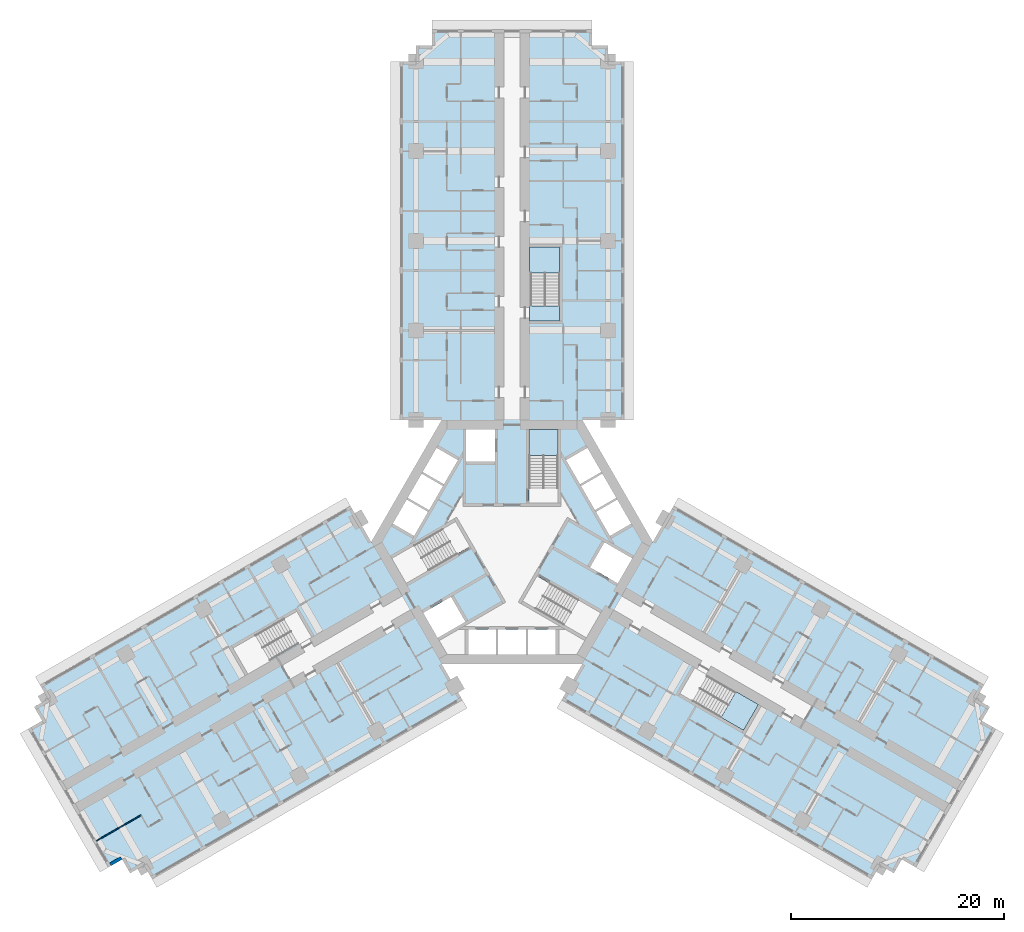
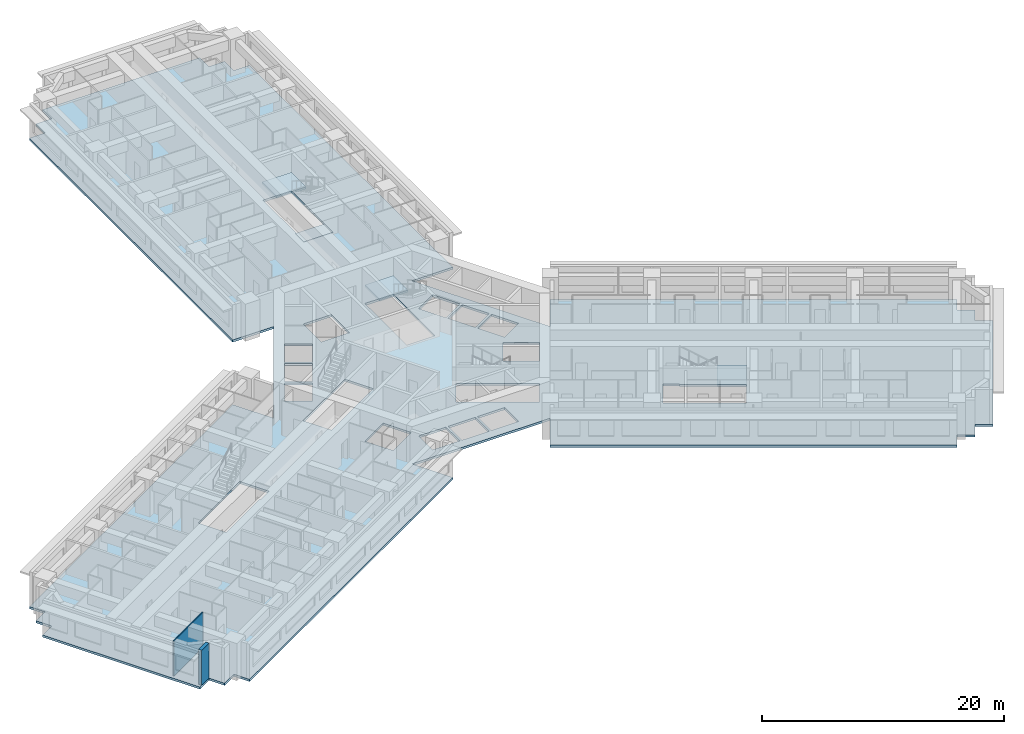
# One storey, part 2 of 16: 5 slabs, 2 walls, 3 elements without a shape of their own.
"""IFC4 building model written with IfcOpenShell, lengths in metres."""

from ifc_helpers import new_model, si_unit, direction, frame, frame_2d, origin, place, context, subcontext, project, spatial, polyline, rectangle, outline, extrude, material, layer, layer_set, type_object, element, aggregate, save


model = new_model("IFC4")

# Units and contexts
model_context = context("Model", 3, precision=1e-05, world=origin(), true_north=direction((0.0, 1.0)))
body_context = subcontext(model_context, "Body", "Model", "MODEL_VIEW")
ifc_project = project(units=[si_unit("LENGTHUNIT", "METRE"), si_unit("AREAUNIT", "SQUARE_METRE"), si_unit("VOLUMEUNIT", "CUBIC_METRE"), si_unit("PLANEANGLEUNIT", "RADIAN"), si_unit("MASSUNIT", "GRAM", prefix="KILO")], contexts=[model_context])

# Site, building, storey
site_placement = place(None, origin())
site = spatial("IfcSite", under=ifc_project, at=site_placement, CompositionType="ELEMENT")
building_placement = place(site_placement, origin())
building = spatial("IfcBuilding", under=site, at=building_placement, Name="Impinga Residences", CompositionType="ELEMENT")
storey_placement = place(building_placement, frame((0.0, 0.0, 67.25)))
storey = spatial("IfcBuildingStorey", under=building, at=storey_placement, Name="L16", CompositionType="ELEMENT", Elevation=67.25)

# Slab
ifc_material_1 = material(Name="Concrete C60/75", Category="concrete")
ifc_layer_1 = layer(ifc_material_1, 0.219970703125)
ifc_layer_set_1 = layer_set([ifc_layer_1], Name="Concrete C60/75")
slab_type_1 = type_object("IfcSlabType", Name="FS1 tower floor slab 220", PredefinedType="FLOOR", material=ifc_layer_set_1)
slab_1_placement = place(storey_placement, frame((0.0, 0.0, -0.219970703125)))
element("IfcSlab", 1, at=slab_1_placement, inside=storey, type_object=slab_type_1, Name="Floor slab FS1 L16", PredefinedType="FLOOR", context=body_context, shape_type="SweptSolid", body=[
    extrude(outline(polyline([(-34.49853515625, -30.31005859375), (-35.797607421875, -31.06005859375), (-36.547607421875, -29.760986328125), (-37.846435546875, -30.510986328125), (-45.346435546875, -17.5205078125), (-44.047607421875, -16.7705078125), (-44.797607421875, -15.471435546875), (-43.49853515625, -14.721435546875), (-44.24853515625, -13.422607421875), (-15.14990234375, 3.37744140625), (-13.199951171875, 0.0), (-6.60009765625, 11.431640625), (-10.5, 11.431640625), (-10.5, 45.031494140625), (-9.0, 45.031494140625), (-9.0, 46.531494140625), (-7.5, 46.531494140625), (-7.5, 48.031494140625), (7.5, 48.031494140625), (7.5, 46.531494140625), (9.0, 46.531494140625), (9.0, 45.031494140625), (10.5, 45.031494140625), (10.5, 11.431640625), (6.60009765625, 11.431640625), (13.199951171875, 0.0), (15.14990234375, 3.37744140625), (44.24853515625, -13.422607421875), (43.49853515625, -14.721435546875), (44.797607421875, -15.471435546875), (44.047607421875, -16.7705078125), (45.346435546875, -17.5205078125), (37.846435546875, -30.510986328125), (36.547607421875, -29.760986328125), (35.797607421875, -31.06005859375), (34.49853515625, -30.31005859375), (33.74853515625, -31.609130859375), (4.64990234375, -14.80908203125), (9.900146484375, -5.7158203125), (6.60009765625, -11.431640625), (-6.60009765625, -11.431640625), (-9.900146484375, -5.7158203125), (-4.64990234375, -14.80908203125), (-33.74853515625, -31.609130859375), (-34.49853515625, -30.31005859375)]), holes=[polyline([(-21.391357421875, -7.2119140625), (-26.154541015625, -9.9619140625), (-24.8046875, -12.30029296875), (-20.04150390625, -9.55029296875), (-19.991455078125, -9.63671875), (-18.779052734375, -8.936767578125), (-18.8291015625, -8.850341796875), (-18.8291015625, -8.850341796875), (-20.178955078125, -6.511962890625), (-21.391357421875, -7.2119140625), (-21.391357421875, -7.2119140625)]), polyline([(-1.5, -8.2314453125), (-4.10009765625, -8.2314453125), (-4.10009765625, -10.531494140625), (-1.5, -10.531494140625), (-1.5, -8.2314453125)]), polyline([(1.300048828125, -8.2314453125), (-1.300048828125, -8.2314453125), (-1.300048828125, -10.531494140625), (1.300048828125, -10.531494140625), (1.300048828125, -8.2314453125)]), polyline([(1.5, -8.2314453125), (1.5, -10.531494140625), (4.10009765625, -10.531494140625), (4.10009765625, -8.2314453125), (1.5, -8.2314453125)]), polyline([(-5.72119140625, -5.150634765625), (-8.320556640625, -6.6513671875), (-6.970458984375, -8.98974609375), (-4.37109375, -7.489013671875), (-5.72119140625, -5.150634765625)]), polyline([(-3.943603515625, -0.429443359375), (-5.293701171875, 1.908935546875), (-11.2705078125, -1.541748046875), (-9.920654296875, -3.880126953125), (-3.943603515625, -0.429443359375)]), polyline([(-9.1787109375, 0.56494140625), (-7.878662109375, 2.816650390625), (-9.87060546875, 3.966796875), (-11.170654296875, 1.715087890625), (-9.1787109375, 0.56494140625)]), polyline([(-6.478759765625, 5.24169921875), (-8.470458984375, 6.3916015625), (-9.7705078125, 4.139892578125), (-7.77880859375, 2.989990234375), (-6.478759765625, 5.24169921875)]), polyline([(-6.378662109375, 5.414794921875), (-5.07861328125, 7.66650390625), (-7.070556640625, 8.81640625), (-8.37060546875, 6.564697265625), (-6.378662109375, 5.414794921875)]), polyline([(-4.300048828125, 7.530029296875), (-1.60009765625, 7.530029296875), (-1.60009765625, 10.531494140625), (-4.300048828125, 10.531494140625), (-4.300048828125, 7.530029296875)]), polyline([(15.72900390625, -14.219482421875), (21.70458984375, -17.669677734375), (23.0546875, -15.331298828125), (18.29150390625, -12.581298828125), (18.341552734375, -12.49462890625), (17.129150390625, -11.794677734375), (15.72900390625, -14.219482421875)]), polyline([(0.99365234375, -5.538818359375), (6.970458984375, -8.98974609375), (8.320556640625, -6.6513671875), (2.34375, -3.20068359375), (0.99365234375, -5.538818359375)]), polyline([(8.671142578125, -0.041015625), (7.3212890625, -2.37939453125), (9.920654296875, -3.880126953125), (11.2705078125, -1.541748046875), (8.671142578125, -0.041015625)]), polyline([(7.878662109375, 2.816650390625), (9.1787109375, 0.56494140625), (11.170654296875, 1.715087890625), (9.87060546875, 3.966796875), (7.878662109375, 2.816650390625)]), polyline([(7.77880859375, 2.989990234375), (9.7705078125, 4.139892578125), (8.470458984375, 6.3916015625), (6.478759765625, 5.24169921875), (7.77880859375, 2.989990234375)]), polyline([(1.60009765625, 3.6298828125), (4.300048828125, 3.6298828125), (4.300048828125, 10.531494140625), (1.60009765625, 10.531494140625), (1.60009765625, 3.6298828125)]), polyline([(5.07861328125, 7.66650390625), (6.378662109375, 5.414794921875), (8.37060546875, 6.564697265625), (7.070556640625, 8.81640625), (5.07861328125, 7.66650390625)]), polyline([(1.75, 22.131591796875), (1.64990234375, 22.131591796875), (1.64990234375, 20.7314453125), (1.75, 20.7314453125), (4.449951171875, 20.7314453125), (4.449951171875, 22.131591796875), (4.449951171875, 27.631591796875), (1.75, 27.631591796875), (1.75, 22.131591796875)])]), origin(), (0.0, 0.0, 1.0), 0.219970703125),
])

# Stair, slab
ifc_material_2 = material(Name="Concrete C40/50", Category="concrete")
stair_type_1 = type_object("IfcStairType", Name="STR core stair 3750 storey, 24 risers", PredefinedType="HALF_TURN_STAIR", material=ifc_material_2)
stair_1_placement = place(storey_placement, origin())
stair_1 = element("IfcStair", 2, at=stair_1_placement, inside=storey, type_object=stair_type_1, Name="Stair ST1 L16", PredefinedType="HALF_TURN_STAIR")
ifc_layer_2 = layer(ifc_material_2, 0.199951171875)
ifc_layer_set_2 = layer_set([ifc_layer_2], Name="Concrete C40/50")
slab_type_2 = type_object("IfcSlabType", Name="LS1 stair landing 200", PredefinedType="LANDING", material=ifc_layer_set_2)
slab_2_placement = place(storey_placement, frame((0.0, 0.0, 1.675048828125)))
slab_2 = element("IfcSlab", 3, at=slab_2_placement, type_object=slab_type_2, Name="ST1 landing 2", PredefinedType="LANDING", context=body_context, shape_type="SweptSolid", body=[
    extrude(outline(polyline([(1.60009765625, 8.10009765625), (4.300048828125, 8.10009765625), (4.300048828125, 10.531494140625), (1.60009765625, 10.531494140625), (1.60009765625, 8.10009765625)])), origin(), (0.0, 0.0, 1.0), 0.199951171875),
])
aggregate(stair_1, [slab_2])

# Stair, slabs
stair_type_2 = type_object("IfcStairType", Name="STR wing stair 3750 storey, 24 risers", PredefinedType="HALF_TURN_STAIR", material=ifc_material_2)
stair_2_placement = place(storey_placement, origin())
stair_2 = element("IfcStair", 4, at=stair_2_placement, inside=storey, type_object=stair_type_2, Name="Stair WS1 L16", PredefinedType="HALF_TURN_STAIR")
slab_3_placement = place(storey_placement, frame((0.0, 0.0, -0.199951171875)))
slab_3 = element("IfcSlab", 5, at=slab_3_placement, type_object=slab_type_2, Name="WS1 landing 1", PredefinedType="LANDING", context=body_context, shape_type="SweptSolid", body=[
    extrude(outline(polyline([(1.64990234375, 20.7314453125), (4.449951171875, 20.7314453125), (4.449951171875, 22.1416015625), (1.64990234375, 22.1416015625), (1.64990234375, 20.7314453125)])), origin(), (0.0, 0.0, 1.0), 0.199951171875),
])
slab_4_placement = place(storey_placement, frame((0.0, 0.0, 1.675048828125)))
slab_4 = element("IfcSlab", 6, at=slab_4_placement, type_object=slab_type_2, Name="WS1 landing 2", PredefinedType="LANDING", context=body_context, shape_type="SweptSolid", body=[
    extrude(outline(polyline([(1.64990234375, 25.201416015625), (4.449951171875, 25.201416015625), (4.449951171875, 27.631591796875), (1.64990234375, 27.631591796875), (1.64990234375, 25.201416015625)])), origin(), (0.0, 0.0, 1.0), 0.199951171875),
])
aggregate(stair_2, [slab_3, slab_4])

# Stair, slab
stair_3_placement = place(storey_placement, origin())
stair_3 = element("IfcStair", 7, at=stair_3_placement, inside=storey, type_object=stair_type_2, Name="Stair WS3 L16", PredefinedType="HALF_TURN_STAIR")
slab_5_placement = place(storey_placement, frame((0.0, 0.0, 1.675048828125)))
slab_5 = element("IfcSlab", 8, at=slab_5_placement, type_object=slab_type_2, Name="WS3 landing 2", PredefinedType="LANDING", context=body_context, shape_type="SweptSolid", body=[
    extrude(outline(polyline([(21.000244140625, -14.02978515625), (19.60009765625, -16.45458984375), (21.70458984375, -17.669677734375), (23.1044921875, -15.24462890625), (21.000244140625, -14.02978515625)])), origin(), (0.0, 0.0, 1.0), 0.199951171875),
])
aggregate(stair_3, [slab_5])

# Walls
ifc_material_3 = material(Name="Terracotta rainscreen on blockwork", Category="masonry")
ifc_layer_3 = layer(ifc_material_3, 0.300048828125)
ifc_layer_set_3 = layer_set([ifc_layer_3], Name="EW1 external wall, terracotta rainscreen on blockwork 300")
wall_type_1 = type_object("IfcWallType", Name="EW1 external wall, terracotta rainscreen on blockwork 300", PredefinedType="SOLIDWALL", material=ifc_layer_set_3)
wall_1_placement = place(storey_placement, frame((-36.626708984375, -29.633544921875, 0.0), z_axis=(0.0, 0.0, 1.0), x_axis=(-0.866059708757, -0.499940577336, 0.0)))
element("IfcWall", 9, at=wall_1_placement, inside=storey, type_object=wall_type_1, Name="External wall EW1 L16", PredefinedType="SOLIDWALL", context=body_context, shape_type="SweptSolid", body=[
    extrude(rectangle(XDim=1.195068359375, YDim=0.300048828125, at=frame_2d((0.59765625, 0.0))), origin(), (0.0, 0.0, 1.0), 3.530029296875),
])
ifc_material_4 = material(Name="Gypsum board on steel studs", Category="steel")
ifc_layer_4 = layer(ifc_material_4, 0.10009765625)
ifc_layer_set_4 = layer_set([ifc_layer_4], Name="Gypsum board on steel studs")
wall_type_2 = type_object("IfcWallType", Name="IP1 partition 100", PredefinedType="PARTITIONING", material=ifc_layer_set_4)
wall_2_placement = place(storey_placement, frame((-34.77978515625, -25.622802734375, 0.0), z_axis=(0.0, 0.0, 1.0), x_axis=(-0.866037363387, -0.499979284789, 0.0)))
element("IfcWall", 10, at=wall_2_placement, inside=storey, type_object=wall_type_2, Name="Partition L16-WA5:DIV1", PredefinedType="PARTITIONING", context=body_context, shape_type="SweptSolid", body=[
    extrude(rectangle(XDim=4.800048828125, YDim=0.10009765625, at=frame_2d((2.39990234375, 0.0))), origin(), (0.0, 0.0, 1.0), 3.530029296875),
])

save(model, "model.ifc")
